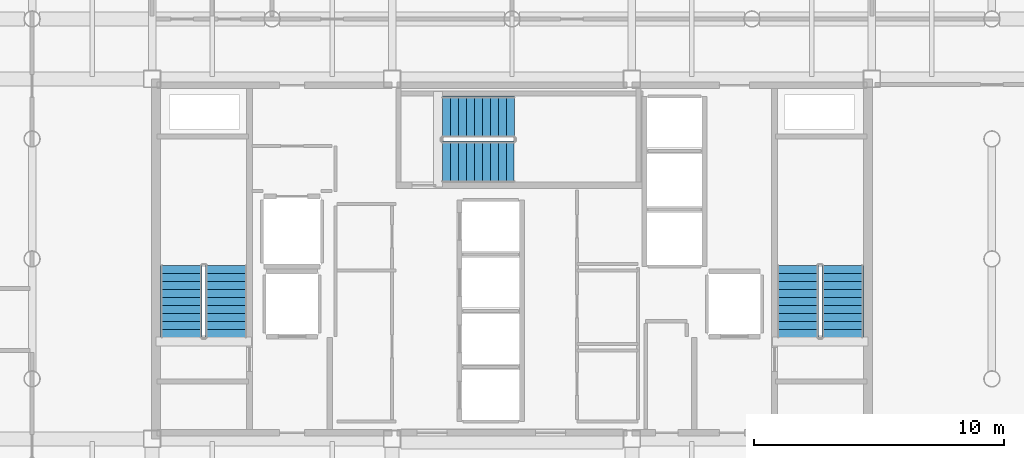
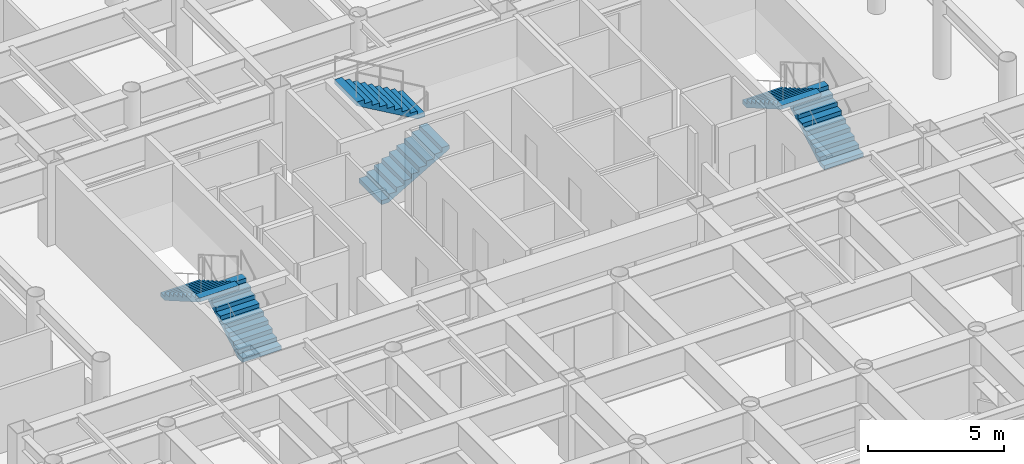
# One storey, part 23 of 24: 6 stair flights, 3 elements without a shape of their own.
"""IFC4 building model written with IfcOpenShell, lengths in metres."""

import ifcopenshell
import ifcopenshell.guid

model = None  # the IFC model being written
_history = None  # IfcOwnerHistory: only IFC2X3 demands one
_inside = {}  # id of a spatial element -> (the spatial element, [elements in it])
_under = {}  # id of a project, library or spatial element -> (it, [spatial elements below it])
_declared = {}  # id of a project -> (the project, [libraries it declares])
_typed = {}  # id of a type object -> (the type object, [elements of that type])
_made_of = {}  # id of a material, layer set ... -> (it, [elements and type objects made of it])


def new_model(schema):
    """Start an empty IFC model of exactly this schema.

    Asked for "IFC4X3", IfcOpenShell would pick the latest addendum, in which some entities
    have other attributes; the version numbers below select the first issue.
    IFC2X3 requires an IfcOwnerHistory on every rooted entity: one is made here for all.
    """
    global model, _history
    if schema == "IFC4X3":
        model = ifcopenshell.file(schema_version=(4, 3, 0, 0))
    else:
        model = ifcopenshell.file(schema=schema)
    _inside.clear()
    _under.clear()
    _declared.clear()
    _typed.clear()
    _made_of.clear()
    _history = None
    if model.schema == "IFC2X3":
        org = make("IfcOrganization", Name="unknown")
        user = make(
            "IfcPersonAndOrganization",
            ThePerson=make("IfcPerson", FamilyName="unknown"),
            TheOrganization=org,
        )
        app = make(
            "IfcApplication",
            ApplicationDeveloper=org,
            Version="unknown",
            ApplicationFullName="unknown",
            ApplicationIdentifier="unknown",
        )
        _history = make(
            "IfcOwnerHistory",
            OwningUser=user,
            OwningApplication=app,
            ChangeAction="ADDED",
            CreationDate=0,
        )
    return model


def make(cls, **values):
    """One entity of the class cls with the attributes given. An attribute that is None is left unset."""
    return model.create_entity(
        cls, **{name: value for name, value in values.items() if value is not None}
    )


def rooted(cls, **values):
    """An entity with a GlobalId (a new one), such as an element, a storey or a relation."""
    return make(cls, GlobalId=ifcopenshell.guid.new(), OwnerHistory=_history, **values)


def si_unit(unit_type, name, prefix=None):
    """IfcSIUnit, for example si_unit("LENGTHUNIT", "METRE", prefix="MILLI")."""
    return make("IfcSIUnit", UnitType=unit_type, Prefix=prefix, Name=name)


def assignment(units):
    """IfcUnitAssignment: the units of a project."""
    return None if units is None else make("IfcUnitAssignment", Units=units)


def point(xyz):
    """IfcCartesianPoint."""
    return None if xyz is None else make("IfcCartesianPoint", Coordinates=xyz)


def direction(xyz):
    """IfcDirection."""
    return None if xyz is None else make("IfcDirection", DirectionRatios=xyz)


def frame(location, z_axis=None, x_axis=None):
    """IfcAxis2Placement3D, a coordinate frame: its origin and axes. An axis left out is left unset."""
    return make(
        "IfcAxis2Placement3D",
        Location=point(location),
        Axis=direction(z_axis),
        RefDirection=direction(x_axis),
    )


def origin():
    """The frame at (0, 0, 0) with its axes left unset."""
    return frame((0.0, 0.0, 0.0))


def place(relative_to, where):
    """IfcLocalPlacement: puts the frame where relative to a parent placement (None: the world)."""
    return make(
        "IfcLocalPlacement", PlacementRelTo=relative_to, RelativePlacement=where
    )


def context(
    kind, dimensions, precision=None, world=None, true_north=None, identifier=None
):
    """IfcGeometricRepresentationContext, for example the 3D "Model" context."""
    return make(
        "IfcGeometricRepresentationContext",
        ContextIdentifier=identifier,
        ContextType=kind,
        CoordinateSpaceDimension=dimensions,
        Precision=precision,
        WorldCoordinateSystem=world,
        TrueNorth=true_north,
    )


def subcontext(parent, identifier, kind, view, scale=None):
    """IfcGeometricRepresentationSubContext, for example "Body" below "Model"."""
    return make(
        "IfcGeometricRepresentationSubContext",
        ContextIdentifier=identifier,
        ContextType=kind,
        ParentContext=parent,
        TargetScale=scale,
        TargetView=view,
    )


def project(units=None, contexts=None):
    """IfcProject with its units and contexts."""
    return rooted(
        "IfcProject",
        Name="project",
        RepresentationContexts=contexts,
        UnitsInContext=assignment(units),
    )


def spatial(cls, under=None, at=None, **own):
    """A site, building, storey or space (cls), placed at a placement, below another one or the project."""
    s = rooted(cls, ObjectPlacement=at, **own)
    if under is not None:
        _under.setdefault(under.id(), (under, []))[1].append(s)
    return s


def polyline(points):
    """IfcPolyline through the points."""
    return make("IfcPolyline", Points=[point(p) for p in points])


def outline(outer, holes=None, kind="AREA"):
    """IfcArbitraryClosedProfileDef: a profile drawn as a closed curve; with holes, ...WithVoids."""
    if holes is None:
        return make("IfcArbitraryClosedProfileDef", ProfileType=kind, OuterCurve=outer)
    return make(
        "IfcArbitraryProfileDefWithVoids",
        ProfileType=kind,
        OuterCurve=outer,
        InnerCurves=holes,
    )


def extrude(swept, where, along, depth):
    """IfcExtrudedAreaSolid: the profile swept, set in the frame where, extruded along a direction by depth."""
    return make(
        "IfcExtrudedAreaSolid",
        SweptArea=swept,
        Position=where,
        ExtrudedDirection=direction(along),
        Depth=depth,
    )


def shape(context_of_items, identifier, shape_type, items):
    """IfcShapeRepresentation: the items that make up one representation, for example the "Body"."""
    return make(
        "IfcShapeRepresentation",
        ContextOfItems=context_of_items,
        RepresentationIdentifier=identifier,
        RepresentationType=shape_type,
        Items=items,
    )


def material(Name=None, Category=None):
    """IfcMaterial."""
    return make("IfcMaterial", Name=Name, Category=Category)


def made_of(thing, what):
    """Note that an element or type object is made of a material, layer set ...; save() writes the relation."""
    if what is not None:
        _made_of.setdefault(what.id(), (what, []))[1].append(thing)
    return thing


def type_object(cls, material=None, **own):
    """A type object (cls), such as IfcWallType, which elements share."""
    return made_of(rooted(cls, **own), material)


def element(
    cls,
    number,
    at=None,
    inside=None,
    cuts=None,
    type_object=None,
    material=None,
    context=None,
    identifier="Body",
    shape_type=None,
    held_by="IfcProductDefinitionShape",
    body=None,
    shapes=None,
    **own,
):
    """One element of the class cls, such as IfcWall. Its Tag is "e" and its number.

    at: its placement. inside: the storey or other place that contains it. cuts: it is an
    opening in that element (IfcRelVoidsElement). A single representation is given by context,
    identifier, shape_type and body (its items); several are given by shapes. held_by: the class
    of the entity that holds the representations. save() writes the other relations.
    """
    e = rooted(cls, Tag="e%d" % number, ObjectPlacement=at, **own)
    if body is not None:
        shapes = [shape(context, identifier, shape_type, body)]
    if shapes is not None:
        e.Representation = make(held_by, Representations=shapes)
    if inside is not None:
        _inside.setdefault(inside.id(), (inside, []))[1].append(e)
    if cuts is not None:
        rooted(
            "IfcRelVoidsElement", RelatingBuildingElement=cuts, RelatedOpeningElement=e
        )
    if type_object is not None:
        _typed.setdefault(type_object.id(), (type_object, []))[1].append(e)
    return made_of(e, material)


def aggregate(whole, parts):
    """IfcRelAggregates: a whole, such as a stair, and the parts it consists of."""
    return rooted("IfcRelAggregates", RelatingObject=whole, RelatedObjects=parts)


def save(model, path):
    """Write the relations noted so far, then the file.

    IfcRelAggregates (storeys below a building ...), IfcRelContainedInSpatialStructure (elements
    in a storey), IfcRelDefinesByType, IfcRelAssociatesMaterial and IfcRelDeclares: one each for
    every whole, place, type object, material and project.
    """
    for whole, parts in _under.values():
        aggregate(whole, parts)
    for where, things in _inside.values():
        rooted(
            "IfcRelContainedInSpatialStructure",
            RelatedElements=things,
            RelatingStructure=where,
        )
    for kind, things in _typed.values():
        rooted("IfcRelDefinesByType", RelatedObjects=things, RelatingType=kind)
    for what, things in _made_of.values():
        rooted("IfcRelAssociatesMaterial", RelatedObjects=things, RelatingMaterial=what)
    for by, libraries in _declared.values():
        rooted("IfcRelDeclares", RelatingContext=by, RelatedDefinitions=libraries)
    model.write(path)


model = new_model("IFC4")

# Units and contexts
model_context = context("Model", 3, precision=1e-05, world=origin(), true_north=direction((0.0, 1.0)))
body_context = subcontext(model_context, "Body", "Model", "MODEL_VIEW")
ifc_project = project(units=[si_unit("LENGTHUNIT", "METRE"), si_unit("AREAUNIT", "SQUARE_METRE"), si_unit("VOLUMEUNIT", "CUBIC_METRE"), si_unit("PLANEANGLEUNIT", "RADIAN"), si_unit("MASSUNIT", "GRAM", prefix="KILO")], contexts=[model_context])

# Site, building, storey
site_placement = place(None, origin())
site = spatial("IfcSite", under=ifc_project, at=site_placement, CompositionType="ELEMENT")
building_placement = place(site_placement, origin())
building = spatial("IfcBuilding", under=site, at=building_placement, Name="Kallvorn Hotel Tower", CompositionType="ELEMENT")
storey_placement = place(building_placement, frame((0.0, 0.0, 150.699951171875)))
storey = spatial("IfcBuildingStorey", under=building, at=storey_placement, Name="L37", CompositionType="ELEMENT", Elevation=150.699951171875)

# Stair, stair flights
ifc_material_1 = material(Name="Precast concrete C40/50", Category="concrete")
stair_type = type_object("IfcStairType", Name="STR_CORE_DOGLEG", PredefinedType="HALF_TURN_STAIR", material=ifc_material_1)
stair_1_placement = place(storey_placement, origin())
stair_1 = element("IfcStair", 1, at=stair_1_placement, inside=storey, type_object=stair_type, Name="L37 Exit stair ST1", PredefinedType="HALF_TURN_STAIR")
ifc_material_2 = material(Name="Precast concrete C40/50", Category="concrete")
stair_flight_type = type_object("IfcStairFlightType", Name="FLT_CORE_1660", PredefinedType="STRAIGHT", material=ifc_material_2)
stair_flight_1_placement = place(storey_placement, frame((-11.429931640625, -3.139892578125, 0.0), z_axis=(0.0, 0.0, 1.0), x_axis=(0.0, 1.0, 0.0)))
stair_flight_1 = element("IfcStairFlight", 2, at=stair_flight_1_placement, type_object=stair_flight_type, Name="ST1 flight 1", NumberOfRisers=10, NumberOfTreads=9, PredefinedType="STRAIGHT", RiserHeight=0.185, TreadLength=0.32, context=body_context, shape_type="SweptSolid", body=[
    extrude(outline(polyline([(0.0, 0.0), (0.0, 0.18505859375), (0.320068359375, 0.18505859375), (0.320068359375, 0.3701171875), (0.639892578125, 0.3701171875), (0.639892578125, 0.554931640625), (0.9599609375, 0.554931640625), (0.9599609375, 0.739990234375), (1.280029296875, 0.739990234375), (1.280029296875, 0.925048828125), (1.60009765625, 0.925048828125), (1.60009765625, 1.110107421875), (1.919921875, 1.110107421875), (1.919921875, 1.294921875), (2.239990234375, 1.294921875), (2.239990234375, 1.47998046875), (2.56005859375, 1.47998046875), (2.56005859375, 1.6650390625), (2.8798828125, 1.6650390625), (2.8798828125, 1.85009765625), (2.8798828125, 1.491943359375), (0.299560546875, 0.0), (0.0, 0.0)])), frame((0.0, 0.830078125, 0.0), z_axis=(0.0, -1.0, 0.0), x_axis=(1.0, 0.0, 0.0)), (0.0, 0.0, 1.0), 1.659912109375),
])
stair_flight_2_placement = place(storey_placement, frame((-13.22998046875, -0.260009765625, 1.85009765625), z_axis=(0.0, 0.0, 1.0), x_axis=(0.0, -1.0, 0.0)))
stair_flight_2 = element("IfcStairFlight", 3, at=stair_flight_2_placement, type_object=stair_flight_type, Name="ST1 flight 2", NumberOfRisers=10, NumberOfTreads=9, PredefinedType="STRAIGHT", RiserHeight=0.185, TreadLength=0.32, context=body_context, shape_type="SweptSolid", body=[
    extrude(outline(polyline([(0.0, 0.0), (0.0, 0.18505859375), (0.320068359375, 0.18505859375), (0.320068359375, 0.3701171875), (0.639892578125, 0.3701171875), (0.639892578125, 0.554931640625), (0.9599609375, 0.554931640625), (0.9599609375, 0.739990234375), (1.280029296875, 0.739990234375), (1.280029296875, 0.925048828125), (1.60009765625, 0.925048828125), (1.60009765625, 1.110107421875), (1.919921875, 1.110107421875), (1.919921875, 1.294921875), (2.239990234375, 1.294921875), (2.239990234375, 1.47998046875), (2.56005859375, 1.47998046875), (2.56005859375, 1.6650390625), (2.8798828125, 1.6650390625), (2.8798828125, 1.85009765625), (2.8798828125, 1.491943359375), (0.299560546875, 0.0), (0.0, 0.0)])), frame((0.0, 0.830078125, 0.0), z_axis=(0.0, -1.0, 0.0), x_axis=(1.0, 0.0, 0.0)), (0.0, 0.0, 1.0), 1.659912109375),
])
aggregate(stair_1, [stair_flight_1, stair_flight_2])

stair_2_placement = place(storey_placement, origin())
stair_2 = element("IfcStair", 4, at=stair_2_placement, inside=storey, type_object=stair_type, Name="L37 Exit stair ST2", PredefinedType="HALF_TURN_STAIR")
stair_flight_3_placement = place(storey_placement, frame((13.22998046875, -3.139892578125, 0.0), z_axis=(0.0, 0.0, 1.0), x_axis=(0.0, 1.0, 0.0)))
stair_flight_3 = element("IfcStairFlight", 5, at=stair_flight_3_placement, type_object=stair_flight_type, Name="ST2 flight 1", NumberOfRisers=10, NumberOfTreads=9, PredefinedType="STRAIGHT", RiserHeight=0.185, TreadLength=0.32, context=body_context, shape_type="SweptSolid", body=[
    extrude(outline(polyline([(0.0, 0.0), (0.0, 0.18505859375), (0.320068359375, 0.18505859375), (0.320068359375, 0.3701171875), (0.639892578125, 0.3701171875), (0.639892578125, 0.554931640625), (0.9599609375, 0.554931640625), (0.9599609375, 0.739990234375), (1.280029296875, 0.739990234375), (1.280029296875, 0.925048828125), (1.60009765625, 0.925048828125), (1.60009765625, 1.110107421875), (1.919921875, 1.110107421875), (1.919921875, 1.294921875), (2.239990234375, 1.294921875), (2.239990234375, 1.47998046875), (2.56005859375, 1.47998046875), (2.56005859375, 1.6650390625), (2.8798828125, 1.6650390625), (2.8798828125, 1.85009765625), (2.8798828125, 1.491943359375), (0.299560546875, 0.0), (0.0, 0.0)])), frame((0.0, 0.830078125, 0.0), z_axis=(0.0, -1.0, 0.0), x_axis=(1.0, 0.0, 0.0)), (0.0, 0.0, 1.0), 1.659912109375),
])
stair_flight_4_placement = place(storey_placement, frame((11.429931640625, -0.260009765625, 1.85009765625), z_axis=(0.0, 0.0, 1.0), x_axis=(0.0, -1.0, 0.0)))
stair_flight_4 = element("IfcStairFlight", 6, at=stair_flight_4_placement, type_object=stair_flight_type, Name="ST2 flight 2", NumberOfRisers=10, NumberOfTreads=9, PredefinedType="STRAIGHT", RiserHeight=0.185, TreadLength=0.32, context=body_context, shape_type="SweptSolid", body=[
    extrude(outline(polyline([(0.0, 0.0), (0.0, 0.18505859375), (0.320068359375, 0.18505859375), (0.320068359375, 0.3701171875), (0.639892578125, 0.3701171875), (0.639892578125, 0.554931640625), (0.9599609375, 0.554931640625), (0.9599609375, 0.739990234375), (1.280029296875, 0.739990234375), (1.280029296875, 0.925048828125), (1.60009765625, 0.925048828125), (1.60009765625, 1.110107421875), (1.919921875, 1.110107421875), (1.919921875, 1.294921875), (2.239990234375, 1.294921875), (2.239990234375, 1.47998046875), (2.56005859375, 1.47998046875), (2.56005859375, 1.6650390625), (2.8798828125, 1.6650390625), (2.8798828125, 1.85009765625), (2.8798828125, 1.491943359375), (0.299560546875, 0.0), (0.0, 0.0)])), frame((0.0, 0.830078125, 0.0), z_axis=(0.0, -1.0, 0.0), x_axis=(1.0, 0.0, 0.0)), (0.0, 0.0, 1.0), 1.659912109375),
])
aggregate(stair_2, [stair_flight_3, stair_flight_4])

stair_3_placement = place(storey_placement, origin())
stair_3 = element("IfcStair", 7, at=stair_3_placement, inside=storey, type_object=stair_type, Name="L37 Exit stair ST3", PredefinedType="HALF_TURN_STAIR")
stair_flight_5_placement = place(storey_placement, frame((-2.7900390625, 3.8798828125, 0.0), z_axis=(0.0, 0.0, 1.0), x_axis=(1.0, 0.0, 0.0)))
stair_flight_5 = element("IfcStairFlight", 8, at=stair_flight_5_placement, type_object=stair_flight_type, Name="ST3 flight 1", NumberOfRisers=10, NumberOfTreads=9, PredefinedType="STRAIGHT", RiserHeight=0.185, TreadLength=0.32, context=body_context, shape_type="SweptSolid", body=[
    extrude(outline(polyline([(0.0, 0.0), (0.0, 0.18505859375), (0.320068359375, 0.18505859375), (0.320068359375, 0.3701171875), (0.639892578125, 0.3701171875), (0.639892578125, 0.554931640625), (0.9599609375, 0.554931640625), (0.9599609375, 0.739990234375), (1.280029296875, 0.739990234375), (1.280029296875, 0.925048828125), (1.60009765625, 0.925048828125), (1.60009765625, 1.110107421875), (1.919921875, 1.110107421875), (1.919921875, 1.294921875), (2.239990234375, 1.294921875), (2.239990234375, 1.47998046875), (2.56005859375, 1.47998046875), (2.56005859375, 1.6650390625), (2.8798828125, 1.6650390625), (2.8798828125, 1.85009765625), (2.8798828125, 1.491943359375), (0.299560546875, 0.0), (0.0, 0.0)])), frame((0.0, 0.830078125, 0.0), z_axis=(0.0, -1.0, 0.0), x_axis=(1.0, 0.0, 0.0)), (0.0, 0.0, 1.0), 1.659912109375),
])
stair_flight_6_placement = place(storey_placement, frame((0.090087890625, 5.679931640625, 1.85009765625), z_axis=(0.0, 0.0, 1.0), x_axis=(-1.0, 0.0, 0.0)))
stair_flight_6 = element("IfcStairFlight", 9, at=stair_flight_6_placement, type_object=stair_flight_type, Name="ST3 flight 2", NumberOfRisers=10, NumberOfTreads=9, PredefinedType="STRAIGHT", RiserHeight=0.185, TreadLength=0.32, context=body_context, shape_type="SweptSolid", body=[
    extrude(outline(polyline([(0.0, 0.0), (0.0, 0.18505859375), (0.320068359375, 0.18505859375), (0.320068359375, 0.3701171875), (0.639892578125, 0.3701171875), (0.639892578125, 0.554931640625), (0.9599609375, 0.554931640625), (0.9599609375, 0.739990234375), (1.280029296875, 0.739990234375), (1.280029296875, 0.925048828125), (1.60009765625, 0.925048828125), (1.60009765625, 1.110107421875), (1.919921875, 1.110107421875), (1.919921875, 1.294921875), (2.239990234375, 1.294921875), (2.239990234375, 1.47998046875), (2.56005859375, 1.47998046875), (2.56005859375, 1.6650390625), (2.8798828125, 1.6650390625), (2.8798828125, 1.85009765625), (2.8798828125, 1.491943359375), (0.299560546875, 0.0), (0.0, 0.0)])), frame((0.0, 0.830078125, 0.0), z_axis=(0.0, -1.0, 0.0), x_axis=(1.0, 0.0, 0.0)), (0.0, 0.0, 1.0), 1.659912109375),
])
aggregate(stair_3, [stair_flight_5, stair_flight_6])

save(model, "model.ifc")
